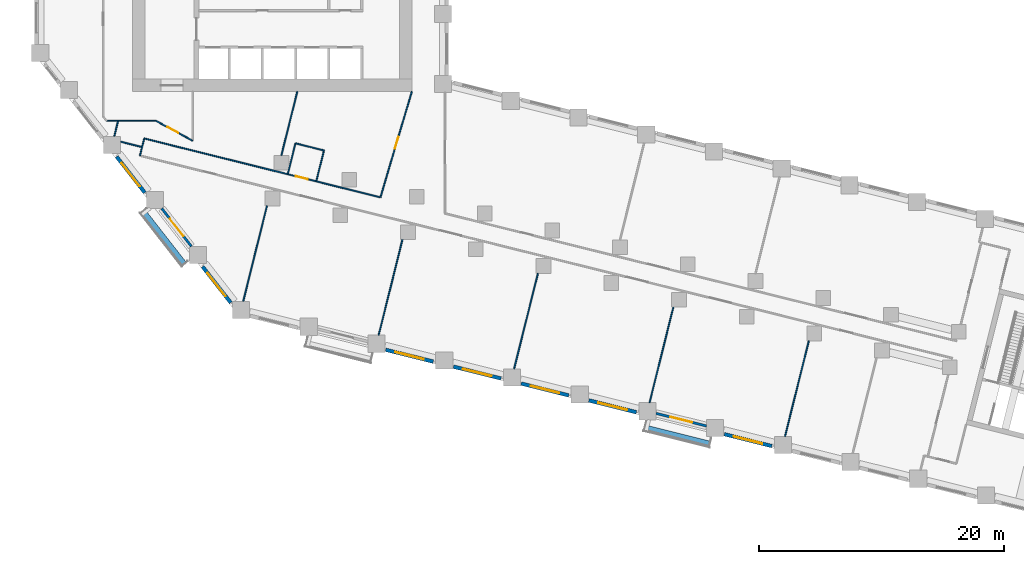
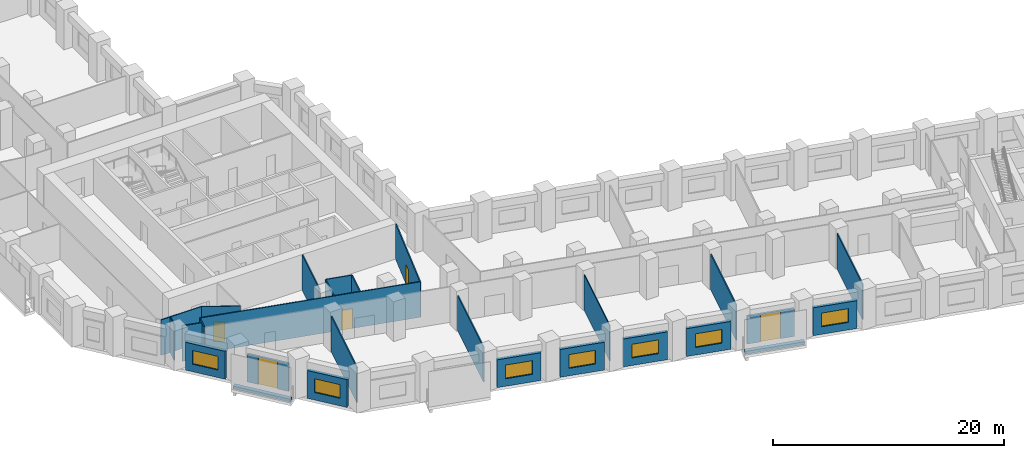
# One storey, part 3 of 12: 27 walls, 7 windows, 5 doors, 12 openings.
"""IFC4 building model written with IfcOpenShell, lengths in metres."""

from ifc_helpers import new_model, si_unit, direction, frame, frame_2d, origin, place, context, subcontext, project, spatial, rectangle, extrude, material, layer, layer_set, type_object, element, fill, save


model = new_model("IFC4")

# Units and contexts
model_context = context("Model", 3, precision=1e-05, world=origin(), true_north=direction((0.0, 1.0)))
body_context = subcontext(model_context, "Body", "Model", "MODEL_VIEW")
ifc_project = project(units=[si_unit("LENGTHUNIT", "METRE"), si_unit("AREAUNIT", "SQUARE_METRE"), si_unit("VOLUMEUNIT", "CUBIC_METRE"), si_unit("PLANEANGLEUNIT", "RADIAN"), si_unit("MASSUNIT", "GRAM", prefix="KILO")], contexts=[model_context])

# Site, building, storey
site_placement = place(None, origin())
site = spatial("IfcSite", under=ifc_project, at=site_placement, CompositionType="ELEMENT")
building_placement = place(site_placement, origin())
building = spatial("IfcBuilding", under=site, at=building_placement, Name="Meshkara Civic Tower", CompositionType="ELEMENT")
storey_placement = place(building_placement, frame((0.0, 0.0, 87.60009765625)))
storey = spatial("IfcBuildingStorey", under=building, at=storey_placement, Name="L19", CompositionType="ELEMENT", Elevation=87.60009765625)

# Wall
ifc_material_1 = material(Name="Corridor wall 100")
ifc_layer_1 = layer(ifc_material_1, 0.10009765625)
ifc_layer_set_1 = layer_set([ifc_layer_1], Name="Corridor wall 100")
wall_type_1 = type_object("IfcWallType", Name="Corridor wall 100", PredefinedType="PARTITIONING", material=ifc_layer_set_1)
wall_1_placement = place(storey_placement, frame((5.867919921875, 11.699951171875, 0.0), z_axis=(0.0, 0.0, 1.0), x_axis=(1.0, 0.0, 0.0)))
element("IfcWall", 1, at=wall_1_placement, inside=storey, type_object=wall_type_1, Name="L19-W006", PredefinedType="PARTITIONING", context=body_context, shape_type="SweptSolid", body=[
    extrude(rectangle(XDim=4.031982421875, YDim=0.10009765625, at=frame_2d((2.01611328125, 0.0))), origin(), (0.0, 0.0, 1.0), 3.75),
])

# Wall, opening, door
wall_2_placement = place(storey_placement, frame((8.944091796875, 10.263916015625, 0.0), z_axis=(0.0, 0.0, 1.0), x_axis=(0.970300504447, -0.241902730595, 0.0)))
wall_2 = element("IfcWall", 2, at=wall_2_placement, inside=storey, type_object=wall_type_1, Name="L19-W009", PredefinedType="PARTITIONING", context=body_context, shape_type="SweptSolid", body=[
    extrude(rectangle(XDim=19.879150390625, YDim=0.10009765625, at=frame_2d((9.939453125, 0.0))), origin(), (0.0, 0.0, 1.0), 3.75),
])
opening_1_placement = place(wall_2_placement, frame((12.759033203125, 0.0, 0.0)))
opening_1 = element("IfcOpeningElement", 3, at=opening_1_placement, cuts=wall_2, Name="Opening L19-D015", PredefinedType="OPENING", context=body_context, shape_type="SweptSolid", body=[
    extrude(rectangle(XDim=1.0, YDim=2.10009765625, at=frame_2d((0.5, 1.050048828125))), frame((0.0, 0.06005859375, 0.0), z_axis=(0.0, -1.0, 0.0), x_axis=(1.0, 0.0, 0.0)), (0.0, 0.0, 1.0), 0.1201171875),
])
ifc_material_2 = material(Name="Door 1000 x 2100")
door_type_1 = type_object("IfcDoorType", Name="Door 1000 x 2100", OperationType="SINGLE_SWING_LEFT", PredefinedType="DOOR", material=ifc_material_2)
door_1_placement = place(opening_1_placement, origin())
door_1 = element("IfcDoor", 4, at=door_1_placement, inside=storey, type_object=door_type_1, Name="L19-D015", OperationType="SINGLE_SWING_LEFT", OverallHeight=2.10009765625, OverallWidth=1.0, PredefinedType="DOOR", context=body_context, shape_type="SweptSolid", body=[
    extrude(rectangle(XDim=1.0, YDim=2.10009765625, at=frame_2d((0.5, 1.050048828125))), frame((0.0, 0.02490234375, 0.0), z_axis=(0.0, -1.0, 0.0), x_axis=(1.0, 0.0, 0.0)), (0.0, 0.0, 1.0), 0.050048828125),
])
fill(opening_1, door_1)

# Wall
wall_3_placement = place(storey_placement, frame((8.944091796875, 10.263916015625, 0.0), z_axis=(0.0, 0.0, 1.0), x_axis=(-0.242297077633, -0.970202105837, 0.0)))
element("IfcWall", 5, at=wall_3_placement, inside=storey, type_object=wall_type_1, Name="L19-W010", PredefinedType="PARTITIONING", context=body_context, shape_type="SweptSolid", body=[
    extrude(rectangle(XDim=1.44482421875, YDim=0.10009765625, at=frame_2d((0.722412109375, 0.0))), origin(), (0.0, 0.0, 1.0), 3.75),
])

# Wall, opening, door
wall_4_placement = place(storey_placement, frame((9.89990234375, 11.699951171875, 0.0), z_axis=(0.0, 0.0, 1.0), x_axis=(0.87965147249, -0.475618846291, 0.0)))
wall_4 = element("IfcWall", 6, at=wall_4_placement, inside=storey, type_object=wall_type_1, Name="L19-W011", PredefinedType="PARTITIONING", context=body_context, shape_type="SweptSolid", body=[
    extrude(rectangle(XDim=3.410400390625, YDim=0.10009765625, at=frame_2d((1.705078125, 0.0))), origin(), (0.0, 0.0, 1.0), 3.75),
])
opening_2_placement = place(wall_4_placement, frame((1.080078125, 0.0, 0.0)))
opening_2 = element("IfcOpeningElement", 7, at=opening_2_placement, cuts=wall_4, Name="Opening L19-D013", PredefinedType="OPENING", context=body_context, shape_type="SweptSolid", body=[
    extrude(rectangle(XDim=1.0, YDim=2.10009765625, at=frame_2d((0.5, 1.050048828125))), frame((0.0, 0.06005859375, 0.0), z_axis=(0.0, -1.0, 0.0), x_axis=(1.0, 0.0, 0.0)), (0.0, 0.0, 1.0), 0.1201171875),
])
door_2_placement = place(opening_2_placement, origin())
door_2 = element("IfcDoor", 8, at=door_2_placement, inside=storey, type_object=door_type_1, Name="L19-D013", OperationType="SINGLE_SWING_RIGHT", OverallHeight=2.10009765625, OverallWidth=1.0, PredefinedType="DOOR", context=body_context, shape_type="SweptSolid", body=[
    extrude(rectangle(XDim=1.0, YDim=2.10009765625, at=frame_2d((0.5, 1.050048828125))), frame((0.0, 0.02490234375, 0.0), z_axis=(0.0, -1.0, 0.0), x_axis=(1.0, 0.0, 0.0)), (0.0, 0.0, 1.0), 0.050048828125),
])
fill(opening_2, door_2)

wall_5_placement = place(storey_placement, frame((30.800048828125, 14.10009765625, 0.0), z_axis=(0.0, 0.0, 1.0), x_axis=(-0.284664373847, -0.95862724469, 0.0)))
wall_5 = element("IfcWall", 9, at=wall_5_placement, inside=storey, type_object=wall_type_1, Name="L19-W021", PredefinedType="PARTITIONING", context=body_context, shape_type="SweptSolid", body=[
    extrude(rectangle(XDim=9.01806640625, YDim=0.10009765625, at=frame_2d((4.509033203125, 0.0))), origin(), (0.0, 0.0, 1.0), 3.75),
])
opening_3_placement = place(wall_5_placement, frame((3.8798828125, 0.0, 0.0)))
opening_3 = element("IfcOpeningElement", 10, at=opening_3_placement, cuts=wall_5, Name="Opening L19-D016", PredefinedType="OPENING", context=body_context, shape_type="SweptSolid", body=[
    extrude(rectangle(XDim=1.0, YDim=2.10009765625, at=frame_2d((0.5, 1.050048828125))), frame((0.0, 0.06005859375, 0.0), z_axis=(0.0, -1.0, 0.0), x_axis=(1.0, 0.0, 0.0)), (0.0, 0.0, 1.0), 0.1201171875),
])
door_3_placement = place(opening_3_placement, origin())
door_3 = element("IfcDoor", 11, at=door_3_placement, inside=storey, type_object=door_type_1, Name="L19-D016", OperationType="SINGLE_SWING_RIGHT", OverallHeight=2.10009765625, OverallWidth=1.0, PredefinedType="DOOR", context=body_context, shape_type="SweptSolid", body=[
    extrude(rectangle(XDim=1.0, YDim=2.10009765625, at=frame_2d((0.5, 1.050048828125))), frame((0.0, 0.02490234375, 0.0), z_axis=(0.0, -1.0, 0.0), x_axis=(1.0, 0.0, 0.0)), (0.0, 0.0, 1.0), 0.050048828125),
])
fill(opening_3, door_3)

# Wall, opening, window
ifc_material_3 = material(Name="Insulated infill panel with bronze anodised aluminium cladding", Category="aluminium")
ifc_layer_2 = layer(ifc_material_3, 0.300048828125)
ifc_layer_set_2 = layer_set([ifc_layer_2], Name="EXTERNAL INFILL WALL 300")
wall_type_2 = type_object("IfcWallType", Name="EXTERNAL INFILL WALL 300", PredefinedType="SOLIDWALL", material=ifc_layer_set_2)
wall_6_placement = place(storey_placement, frame((6.69189453125, 8.778076171875, 0.0), z_axis=(0.0, 0.0, 1.0), x_axis=(0.615767067156, -0.787928244833, 0.0)))
wall_6 = element("IfcWall", 12, at=wall_6_placement, inside=storey, type_object=wall_type_2, Name="External wall", PredefinedType="SOLIDWALL", context=body_context, shape_type="SweptSolid", body=[
    extrude(rectangle(XDim=3.7353515625, YDim=0.300048828125, at=frame_2d((1.86767578125, 0.0))), origin(), (0.0, 0.0, 1.0), 2.949951171875),
])
opening_4_placement = place(wall_6_placement, frame((0.66796875, 0.0, 0.800048828125)))
opening_4 = element("IfcOpeningElement", 13, at=opening_4_placement, cuts=wall_6, Name="Opening W8", PredefinedType="OPENING", context=body_context, shape_type="SweptSolid", body=[
    extrude(rectangle(XDim=2.39990234375, YDim=1.449951171875, at=frame_2d((1.199951171875, 0.72509765625))), frame((0.0, 0.159912109375, 0.0), z_axis=(0.0, -1.0, 0.0), x_axis=(1.0, 0.0, 0.0)), (0.0, 0.0, 1.0), 0.320068359375),
])
ifc_material_4 = material(Name="Tinted double glazing", Category="glass")
window_type = type_object("IfcWindowType", Name="WINDOW 2400x1450", PartitioningType="DOUBLE_PANEL_VERTICAL", PredefinedType="WINDOW", material=ifc_material_4)
window_1_placement = place(opening_4_placement, origin())
window_1 = element("IfcWindow", 14, at=window_1_placement, inside=storey, type_object=window_type, Name="Window", OverallHeight=1.449951171875, OverallWidth=2.39990234375, PartitioningType="DOUBLE_PANEL_VERTICAL", PredefinedType="WINDOW", context=body_context, shape_type="SweptSolid", body=[
    extrude(rectangle(XDim=2.39990234375, YDim=1.449951171875, at=frame_2d((1.199951171875, 0.72509765625))), frame((0.0, 0.030029296875, 0.0), z_axis=(0.0, -1.0, 0.0), x_axis=(1.0, 0.0, 0.0)), (0.0, 0.0, 1.0), 0.06005859375),
])
fill(opening_4, window_1)

wall_7_placement = place(storey_placement, frame((13.7099609375, -0.205078125, 0.0), z_axis=(0.0, 0.0, 1.0), x_axis=(0.615798780214, -0.787903460004, 0.0)))
wall_7 = element("IfcWall", 15, at=wall_7_placement, inside=storey, type_object=wall_type_2, Name="External wall", PredefinedType="SOLIDWALL", context=body_context, shape_type="SweptSolid", body=[
    extrude(rectangle(XDim=3.735107421875, YDim=0.300048828125, at=frame_2d((1.86767578125, 0.0))), origin(), (0.0, 0.0, 1.0), 2.949951171875),
])
opening_5_placement = place(wall_7_placement, frame((0.6669921875, 0.0, 0.800048828125)))
opening_5 = element("IfcOpeningElement", 16, at=opening_5_placement, cuts=wall_7, Name="Opening W8", PredefinedType="OPENING", context=body_context, shape_type="SweptSolid", body=[
    extrude(rectangle(XDim=2.39990234375, YDim=1.449951171875, at=frame_2d((1.199951171875, 0.72509765625))), frame((0.0, 0.159912109375, 0.0), z_axis=(0.0, -1.0, 0.0), x_axis=(1.0, 0.0, 0.0)), (0.0, 0.0, 1.0), 0.320068359375),
])
window_2_placement = place(opening_5_placement, origin())
window_2 = element("IfcWindow", 17, at=window_2_placement, inside=storey, type_object=window_type, Name="Window", OverallHeight=1.449951171875, OverallWidth=2.39990234375, PartitioningType="DOUBLE_PANEL_VERTICAL", PredefinedType="WINDOW", context=body_context, shape_type="SweptSolid", body=[
    extrude(rectangle(XDim=2.39990234375, YDim=1.449951171875, at=frame_2d((1.199951171875, 0.72509765625))), frame((0.0, 0.030029296875, 0.0), z_axis=(0.0, -1.0, 0.0), x_axis=(1.0, 0.0, 0.0)), (0.0, 0.0, 1.0), 0.06005859375),
])
fill(opening_5, window_2)

wall_8_placement = place(storey_placement, frame((28.6630859375, -6.991943359375, 0.0), z_axis=(0.0, 0.0, 1.0), x_axis=(0.970318045095, -0.24183236211, 0.0)))
wall_8 = element("IfcWall", 18, at=wall_8_placement, inside=storey, type_object=wall_type_2, Name="External wall", PredefinedType="SOLIDWALL", context=body_context, shape_type="SweptSolid", body=[
    extrude(rectangle(XDim=4.0029296875, YDim=0.300048828125, at=frame_2d((2.00146484375, 0.0))), origin(), (0.0, 0.0, 1.0), 2.949951171875),
])
opening_6_placement = place(wall_8_placement, frame((0.802001953125, 0.0, 0.800048828125)))
opening_6 = element("IfcOpeningElement", 19, at=opening_6_placement, cuts=wall_8, Name="Opening W8", PredefinedType="OPENING", context=body_context, shape_type="SweptSolid", body=[
    extrude(rectangle(XDim=2.39990234375, YDim=1.449951171875, at=frame_2d((1.199951171875, 0.72509765625))), frame((0.0, 0.159912109375, 0.0), z_axis=(0.0, -1.0, 0.0), x_axis=(1.0, 0.0, 0.0)), (0.0, 0.0, 1.0), 0.320068359375),
])
window_3_placement = place(opening_6_placement, origin())
window_3 = element("IfcWindow", 20, at=window_3_placement, inside=storey, type_object=window_type, Name="Window", OverallHeight=1.449951171875, OverallWidth=2.39990234375, PartitioningType="DOUBLE_PANEL_VERTICAL", PredefinedType="WINDOW", context=body_context, shape_type="SweptSolid", body=[
    extrude(rectangle(XDim=2.39990234375, YDim=1.449951171875, at=frame_2d((1.199951171875, 0.72509765625))), frame((0.0, 0.030029296875, 0.0), z_axis=(0.0, -1.0, 0.0), x_axis=(1.0, 0.0, 0.0)), (0.0, 0.0, 1.0), 0.06005859375),
])
fill(opening_6, window_3)

wall_9_placement = place(storey_placement, frame((34.194091796875, -8.37109375, 0.0), z_axis=(0.0, 0.0, 1.0), x_axis=(0.970314477803, -0.241846674911, 0.0)))
wall_9 = element("IfcWall", 21, at=wall_9_placement, inside=storey, type_object=wall_type_2, Name="External wall", PredefinedType="SOLIDWALL", context=body_context, shape_type="SweptSolid", body=[
    extrude(rectangle(XDim=4.002685546875, YDim=0.300048828125, at=frame_2d((2.00146484375, 0.0))), origin(), (0.0, 0.0, 1.0), 2.949951171875),
])
opening_7_placement = place(wall_9_placement, frame((0.802001953125, 0.0, 0.800048828125)))
opening_7 = element("IfcOpeningElement", 22, at=opening_7_placement, cuts=wall_9, Name="Opening W8", PredefinedType="OPENING", context=body_context, shape_type="SweptSolid", body=[
    extrude(rectangle(XDim=2.39990234375, YDim=1.449951171875, at=frame_2d((1.199951171875, 0.72509765625))), frame((0.0, 0.159912109375, 0.0), z_axis=(0.0, -1.0, 0.0), x_axis=(1.0, 0.0, 0.0)), (0.0, 0.0, 1.0), 0.320068359375),
])
window_4_placement = place(opening_7_placement, origin())
window_4 = element("IfcWindow", 23, at=window_4_placement, inside=storey, type_object=window_type, Name="Window", OverallHeight=1.449951171875, OverallWidth=2.39990234375, PartitioningType="DOUBLE_PANEL_VERTICAL", PredefinedType="WINDOW", context=body_context, shape_type="SweptSolid", body=[
    extrude(rectangle(XDim=2.39990234375, YDim=1.449951171875, at=frame_2d((1.199951171875, 0.72509765625))), frame((0.0, 0.030029296875, 0.0), z_axis=(0.0, -1.0, 0.0), x_axis=(1.0, 0.0, 0.0)), (0.0, 0.0, 1.0), 0.06005859375),
])
fill(opening_7, window_4)

wall_10_placement = place(storey_placement, frame((39.72509765625, -9.75, 0.0), z_axis=(0.0, 0.0, 1.0), x_axis=(0.970314477803, -0.241846674911, 0.0)))
wall_10 = element("IfcWall", 24, at=wall_10_placement, inside=storey, type_object=wall_type_2, Name="External wall", PredefinedType="SOLIDWALL", context=body_context, shape_type="SweptSolid", body=[
    extrude(rectangle(XDim=4.002685546875, YDim=0.300048828125, at=frame_2d((2.00146484375, 0.0))), origin(), (0.0, 0.0, 1.0), 2.949951171875),
])
opening_8_placement = place(wall_10_placement, frame((0.801025390625, 0.0, 0.800048828125)))
opening_8 = element("IfcOpeningElement", 25, at=opening_8_placement, cuts=wall_10, Name="Opening W8", PredefinedType="OPENING", context=body_context, shape_type="SweptSolid", body=[
    extrude(rectangle(XDim=2.39990234375, YDim=1.449951171875, at=frame_2d((1.199951171875, 0.72509765625))), frame((0.0, 0.159912109375, 0.0), z_axis=(0.0, -1.0, 0.0), x_axis=(1.0, 0.0, 0.0)), (0.0, 0.0, 1.0), 0.320068359375),
])
window_5_placement = place(opening_8_placement, origin())
window_5 = element("IfcWindow", 26, at=window_5_placement, inside=storey, type_object=window_type, Name="Window", OverallHeight=1.449951171875, OverallWidth=2.39990234375, PartitioningType="DOUBLE_PANEL_VERTICAL", PredefinedType="WINDOW", context=body_context, shape_type="SweptSolid", body=[
    extrude(rectangle(XDim=2.39990234375, YDim=1.449951171875, at=frame_2d((1.199951171875, 0.72509765625))), frame((0.0, 0.030029296875, 0.0), z_axis=(0.0, -1.0, 0.0), x_axis=(1.0, 0.0, 0.0)), (0.0, 0.0, 1.0), 0.06005859375),
])
fill(opening_8, window_5)

wall_11_placement = place(storey_placement, frame((45.256103515625, -11.12890625, 0.0), z_axis=(0.0, 0.0, 1.0), x_axis=(0.970300202301, -0.241903942538, 0.0)))
wall_11 = element("IfcWall", 27, at=wall_11_placement, inside=storey, type_object=wall_type_2, Name="External wall", PredefinedType="SOLIDWALL", context=body_context, shape_type="SweptSolid", body=[
    extrude(rectangle(XDim=4.001708984375, YDim=0.300048828125, at=frame_2d((2.0009765625, 0.0))), origin(), (0.0, 0.0, 1.0), 2.949951171875),
])
opening_9_placement = place(wall_11_placement, frame((0.801025390625, 0.0, 0.800048828125)))
opening_9 = element("IfcOpeningElement", 28, at=opening_9_placement, cuts=wall_11, Name="Opening W8", PredefinedType="OPENING", context=body_context, shape_type="SweptSolid", body=[
    extrude(rectangle(XDim=2.39990234375, YDim=1.449951171875, at=frame_2d((1.199951171875, 0.72509765625))), frame((0.0, 0.159912109375, 0.0), z_axis=(0.0, -1.0, 0.0), x_axis=(1.0, 0.0, 0.0)), (0.0, 0.0, 1.0), 0.320068359375),
])
window_6_placement = place(opening_9_placement, origin())
window_6 = element("IfcWindow", 29, at=window_6_placement, inside=storey, type_object=window_type, Name="Window", OverallHeight=1.449951171875, OverallWidth=2.39990234375, PartitioningType="DOUBLE_PANEL_VERTICAL", PredefinedType="WINDOW", context=body_context, shape_type="SweptSolid", body=[
    extrude(rectangle(XDim=2.39990234375, YDim=1.449951171875, at=frame_2d((1.199951171875, 0.72509765625))), frame((0.0, 0.030029296875, 0.0), z_axis=(0.0, -1.0, 0.0), x_axis=(1.0, 0.0, 0.0)), (0.0, 0.0, 1.0), 0.06005859375),
])
fill(opening_9, window_6)

wall_12_placement = place(storey_placement, frame((56.31689453125, -13.886962890625, 0.0), z_axis=(0.0, 0.0, 1.0), x_axis=(0.970318045095, -0.24183236211, 0.0)))
wall_12 = element("IfcWall", 30, at=wall_12_placement, inside=storey, type_object=wall_type_2, Name="External wall", PredefinedType="SOLIDWALL", context=body_context, shape_type="SweptSolid", body=[
    extrude(rectangle(XDim=4.0029296875, YDim=0.300048828125, at=frame_2d((2.00146484375, 0.0))), origin(), (0.0, 0.0, 1.0), 2.949951171875),
])
opening_10_placement = place(wall_12_placement, frame((0.802001953125, 0.0, 0.800048828125)))
opening_10 = element("IfcOpeningElement", 31, at=opening_10_placement, cuts=wall_12, Name="Opening W8", PredefinedType="OPENING", context=body_context, shape_type="SweptSolid", body=[
    extrude(rectangle(XDim=2.39990234375, YDim=1.449951171875, at=frame_2d((1.199951171875, 0.72509765625))), frame((0.0, 0.159912109375, 0.0), z_axis=(0.0, -1.0, 0.0), x_axis=(1.0, 0.0, 0.0)), (0.0, 0.0, 1.0), 0.320068359375),
])
window_7_placement = place(opening_10_placement, origin())
window_7 = element("IfcWindow", 32, at=window_7_placement, inside=storey, type_object=window_type, Name="Window", OverallHeight=1.449951171875, OverallWidth=2.39990234375, PartitioningType="DOUBLE_PANEL_VERTICAL", PredefinedType="WINDOW", context=body_context, shape_type="SweptSolid", body=[
    extrude(rectangle(XDim=2.39990234375, YDim=1.449951171875, at=frame_2d((1.199951171875, 0.72509765625))), frame((0.0, 0.030029296875, 0.0), z_axis=(0.0, -1.0, 0.0), x_axis=(1.0, 0.0, 0.0)), (0.0, 0.0, 1.0), 0.06005859375),
])
fill(opening_10, window_7)

# Wall, opening, door
ifc_material_5 = material(Name="Insulated infill panel with bronze anodised aluminium cladding", Category="aluminium")
ifc_layer_3 = layer(ifc_material_5, 0.199951171875)
ifc_layer_set_3 = layer_set([ifc_layer_3], Name="LOGGIA BACK WALL 200")
wall_type_3 = type_object("IfcWallType", Name="LOGGIA BACK WALL 200", PredefinedType="SOLIDWALL", material=ifc_layer_set_3)
wall_13_placement = place(storey_placement, frame((10.3798828125, 4.544921875, 0.0), z_axis=(0.0, 0.0, 1.0), x_axis=(0.615697185896, -0.787982852148, 0.0)))
wall_13 = element("IfcWall", 33, at=wall_13_placement, inside=storey, type_object=wall_type_3, Name="Loggia wall", PredefinedType="SOLIDWALL", context=body_context, shape_type="SweptSolid", body=[
    extrude(rectangle(XDim=3.92236328125, YDim=0.199951171875, at=frame_2d((1.961181640625, 0.0))), origin(), (0.0, 0.0, 1.0), 2.949951171875),
])
opening_11_placement = place(wall_13_placement, frame((1.06103515625, 0.0, 0.0)))
opening_11 = element("IfcOpeningElement", 34, at=opening_11_placement, cuts=wall_13, Name="Opening L19-L003", PredefinedType="OPENING", context=body_context, shape_type="SweptSolid", body=[
    extrude(rectangle(XDim=1.800048828125, YDim=2.89990234375, at=frame_2d((0.89990234375, 1.449951171875))), frame((0.0, 0.10986328125, 0.0), z_axis=(0.0, -1.0, 0.0), x_axis=(1.0, 0.0, 0.0)), (0.0, 0.0, 1.0), 0.219970703125),
])
ifc_material_6 = material(Name="Tinted double glazing", Category="glass")
door_type_2 = type_object("IfcDoorType", Name="LOGGIA DOOR 1800x2900", OperationType="DOUBLE_DOOR_SINGLE_SWING", PredefinedType="DOOR", material=ifc_material_6)
door_4_placement = place(opening_11_placement, origin())
door_4 = element("IfcDoor", 35, at=door_4_placement, inside=storey, type_object=door_type_2, Name="L19-L003", OperationType="DOUBLE_DOOR_SINGLE_SWING", OverallHeight=2.89990234375, OverallWidth=1.800048828125, PredefinedType="DOOR", context=body_context, shape_type="SweptSolid", body=[
    extrude(rectangle(XDim=1.800048828125, YDim=2.89990234375, at=frame_2d((0.89990234375, 1.449951171875))), frame((0.0, 0.02490234375, 0.0), z_axis=(0.0, -1.0, 0.0), x_axis=(1.0, 0.0, 0.0)), (0.0, 0.0, 1.0), 0.050048828125),
])
fill(opening_11, door_4)

wall_14_placement = place(storey_placement, frame((50.735107421875, -12.18603515625, 0.0), z_axis=(0.0, 0.0, 1.0), x_axis=(0.970290742877, -0.241941882045, 0.0)))
wall_14 = element("IfcWall", 36, at=wall_14_placement, inside=storey, type_object=wall_type_3, Name="Loggia wall", PredefinedType="SOLIDWALL", context=body_context, shape_type="SweptSolid", body=[
    extrude(rectangle(XDim=4.25732421875, YDim=0.199951171875, at=frame_2d((2.128662109375, 0.0))), origin(), (0.0, 0.0, 1.0), 2.949951171875),
])
opening_12_placement = place(wall_14_placement, frame((1.22802734375, 0.0, 0.0)))
opening_12 = element("IfcOpeningElement", 37, at=opening_12_placement, cuts=wall_14, Name="Opening L19-L005", PredefinedType="OPENING", context=body_context, shape_type="SweptSolid", body=[
    extrude(rectangle(XDim=1.800048828125, YDim=2.89990234375, at=frame_2d((0.89990234375, 1.449951171875))), frame((0.0, 0.10986328125, 0.0), z_axis=(0.0, -1.0, 0.0), x_axis=(1.0, 0.0, 0.0)), (0.0, 0.0, 1.0), 0.219970703125),
])
door_5_placement = place(opening_12_placement, origin())
door_5 = element("IfcDoor", 38, at=door_5_placement, inside=storey, type_object=door_type_2, Name="L19-L005", OperationType="DOUBLE_DOOR_SINGLE_SWING", OverallHeight=2.89990234375, OverallWidth=1.800048828125, PredefinedType="DOOR", context=body_context, shape_type="SweptSolid", body=[
    extrude(rectangle(XDim=1.800048828125, YDim=2.89990234375, at=frame_2d((0.89990234375, 1.449951171875))), frame((0.0, 0.02490234375, 0.0), z_axis=(0.0, -1.0, 0.0), x_axis=(1.0, 0.0, 0.0)), (0.0, 0.0, 1.0), 0.050048828125),
])
fill(opening_12, door_5)

# Walls
ifc_material_7 = material(Name="Concrete C40", Category="concrete")
ifc_layer_4 = layer(ifc_material_7, 0.39990234375)
ifc_layer_set_4 = layer_set([ifc_layer_4], Name="PLANTER TRAY")
wall_type_4 = type_object("IfcWallType", Name="PLANTER TRAY", PredefinedType="SOLIDWALL", material=ifc_layer_set_4)
wall_15_placement = place(storey_placement, frame((8.889892578125, 4.2919921875, 0.0), z_axis=(0.0, 0.0, 1.0), x_axis=(0.615636085037, -0.788030590016, 0.0)))
element("IfcWall", 39, at=wall_15_placement, inside=storey, type_object=wall_type_4, Name="Planter", PredefinedType="SOLIDWALL", context=body_context, shape_type="SweptSolid", body=[
    extrude(rectangle(XDim=5.35888671875, YDim=0.39990234375, at=frame_2d((2.679443359375, 0.0))), origin(), (0.0, 0.0, 1.0), 0.2998046875),
])
wall_16_placement = place(storey_placement, frame((49.8779296875, -13.343017578125, 0.0), z_axis=(0.0, 0.0, 1.0), x_axis=(0.970292345375, -0.241935455249, 0.0)))
element("IfcWall", 40, at=wall_16_placement, inside=storey, type_object=wall_type_4, Name="Planter", PredefinedType="SOLIDWALL", context=body_context, shape_type="SweptSolid", body=[
    extrude(rectangle(XDim=5.3603515625, YDim=0.39990234375, at=frame_2d((2.68017578125, 0.0))), origin(), (0.0, 0.0, 1.0), 0.2998046875),
])
ifc_material_8 = material(Name="Partition 100")
ifc_layer_5 = layer(ifc_material_8, 0.10009765625)
ifc_layer_set_5 = layer_set([ifc_layer_5], Name="Partition 100")
wall_type_5 = type_object("IfcWallType", Name="Partition 100", PredefinedType="PARTITIONING", material=ifc_layer_set_5)
wall_17_placement = place(storey_placement, frame((6.797119140625, 11.637939453125, 0.0), z_axis=(0.0, 0.0, 1.0), x_axis=(-0.242396400943, -0.970177295555, 0.0)))
element("IfcWall", 41, at=wall_17_placement, inside=storey, type_object=wall_type_5, Name="L19-W034", PredefinedType="PARTITIONING", context=body_context, shape_type="SweptSolid", body=[
    extrude(rectangle(XDim=1.23779296875, YDim=0.10009765625, at=frame_2d((0.618896484375, 0.0))), origin(), (0.0, 0.0, 1.0), 3.75),
])
wall_18_placement = place(storey_placement, frame((8.719970703125, 9.573974609375, 0.0), z_axis=(0.0, 0.0, 1.0), x_axis=(-0.97016712555, 0.242437102155, 0.0)))
element("IfcWall", 42, at=wall_18_placement, inside=storey, type_object=wall_type_5, Name="L19-W035", PredefinedType="PARTITIONING", context=body_context, shape_type="SweptSolid", body=[
    extrude(rectangle(XDim=1.749267578125, YDim=0.10009765625, at=frame_2d((0.87451171875, 0.0))), origin(), (0.0, 0.0, 1.0), 3.75),
])
wall_19_placement = place(storey_placement, frame((17.02587890625, -3.0380859375, 0.0), z_axis=(0.0, 0.0, 1.0), x_axis=(0.241899423388, 0.970301328951, 0.0)))
element("IfcWall", 43, at=wall_19_placement, inside=storey, type_object=wall_type_5, Name="L19-W038", PredefinedType="PARTITIONING", context=body_context, shape_type="SweptSolid", body=[
    extrude(rectangle(XDim=8.036865234375, YDim=0.10009765625, at=frame_2d((4.0185546875, 0.0))), origin(), (0.0, 0.0, 1.0), 3.75),
])
wall_20_placement = place(storey_placement, frame((20.14306640625, 8.87109375, 0.0), z_axis=(0.0, 0.0, 1.0), x_axis=(0.241959975721, 0.970286231042, 0.0)))
element("IfcWall", 44, at=wall_20_placement, inside=storey, type_object=wall_type_5, Name="L19-W039", PredefinedType="PARTITIONING", context=body_context, shape_type="SweptSolid", body=[
    extrude(rectangle(XDim=5.38916015625, YDim=0.10009765625, at=frame_2d((2.694580078125, 0.0))), origin(), (0.0, 0.0, 1.0), 3.75),
])
wall_21_placement = place(storey_placement, frame((20.677001953125, 7.39111328125, 0.0), z_axis=(0.0, 0.0, 1.0), x_axis=(0.241972320765, 0.970283152478, 0.0)))
element("IfcWall", 45, at=wall_21_placement, inside=storey, type_object=wall_type_5, Name="L19-W041", PredefinedType="PARTITIONING", context=body_context, shape_type="SweptSolid", body=[
    extrude(rectangle(XDim=2.549560546875, YDim=0.10009765625, at=frame_2d((1.27490234375, 0.0))), origin(), (0.0, 0.0, 1.0), 3.75),
])
wall_22_placement = place(storey_placement, frame((21.2939453125, 9.864990234375, 0.0), z_axis=(0.0, 0.0, 1.0), x_axis=(0.970238184317, -0.242152566975, 0.0)))
element("IfcWall", 46, at=wall_22_placement, inside=storey, type_object=wall_type_5, Name="L19-W042", PredefinedType="PARTITIONING", context=body_context, shape_type="SweptSolid", body=[
    extrude(rectangle(XDim=2.399658203125, YDim=0.10009765625, at=frame_2d((1.19970703125, 0.0))), origin(), (0.0, 0.0, 1.0), 3.75),
])
wall_23_placement = place(storey_placement, frame((23.6220703125, 9.283935546875, 0.0), z_axis=(0.0, 0.0, 1.0), x_axis=(-0.241611677547, -0.970373019654, 0.0)))
element("IfcWall", 47, at=wall_23_placement, inside=storey, type_object=wall_type_5, Name="L19-W046", PredefinedType="PARTITIONING", context=body_context, shape_type="SweptSolid", body=[
    extrude(rectangle(XDim=2.54931640625, YDim=0.10009765625, at=frame_2d((1.274658203125, 0.0))), origin(), (0.0, 0.0, 1.0), 3.75),
])
for number, where, z_axis, x_axis, name in (
    (48, (28.087890625, -5.7958984375, 0.0), (0.0, 0.0, 1.0), (0.241906553757, 0.970299551298, 0.0), "L19-W047"),
    (49, (39.14892578125, -8.553955078125, 0.0), (0.0, 0.0, 1.0), (0.241906553757, 0.970299551298, 0.0), "L19-W048"),
):
    element("IfcWall", number, at=place(storey_placement, frame(where, z_axis=z_axis, x_axis=x_axis)), inside=storey, type_object=wall_type_5, Name=name, PredefinedType="PARTITIONING", context=body_context, shape_type="SweptSolid", body=[
        extrude(rectangle(XDim=8.03662109375, YDim=0.10009765625, at=frame_2d((4.018310546875, 0.0))), origin(), (0.0, 0.0, 1.0), 3.75),
    ])
wall_24_placement = place(storey_placement, frame((50.2099609375, -11.31103515625, 0.0), z_axis=(0.0, 0.0, 1.0), x_axis=(0.241927947306, 0.970294217396, 0.0)))
element("IfcWall", 50, at=wall_24_placement, inside=storey, type_object=wall_type_5, Name="L19-W050", PredefinedType="PARTITIONING", context=body_context, shape_type="SweptSolid", body=[
    extrude(rectangle(XDim=8.035888671875, YDim=0.10009765625, at=frame_2d((4.01806640625, 0.0))), origin(), (0.0, 0.0, 1.0), 3.75),
])
wall_25_placement = place(storey_placement, frame((61.27197265625, -14.069091796875, 0.0), z_axis=(0.0, 0.0, 1.0), x_axis=(0.241899423388, 0.970301328951, 0.0)))
element("IfcWall", 51, at=wall_25_placement, inside=storey, type_object=wall_type_5, Name="L19-W052", PredefinedType="PARTITIONING", context=body_context, shape_type="SweptSolid", body=[
    extrude(rectangle(XDim=8.036865234375, YDim=0.10009765625, at=frame_2d((4.0185546875, 0.0))), origin(), (0.0, 0.0, 1.0), 3.75),
])

save(model, "model.ifc")
